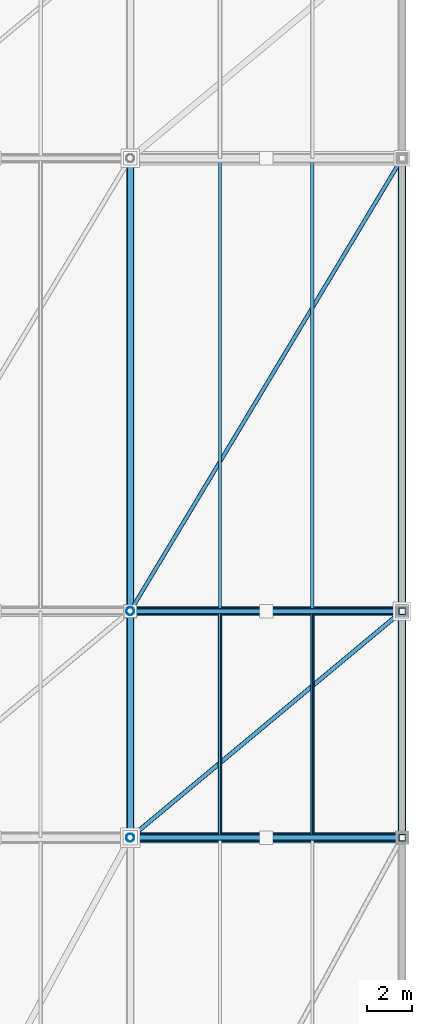
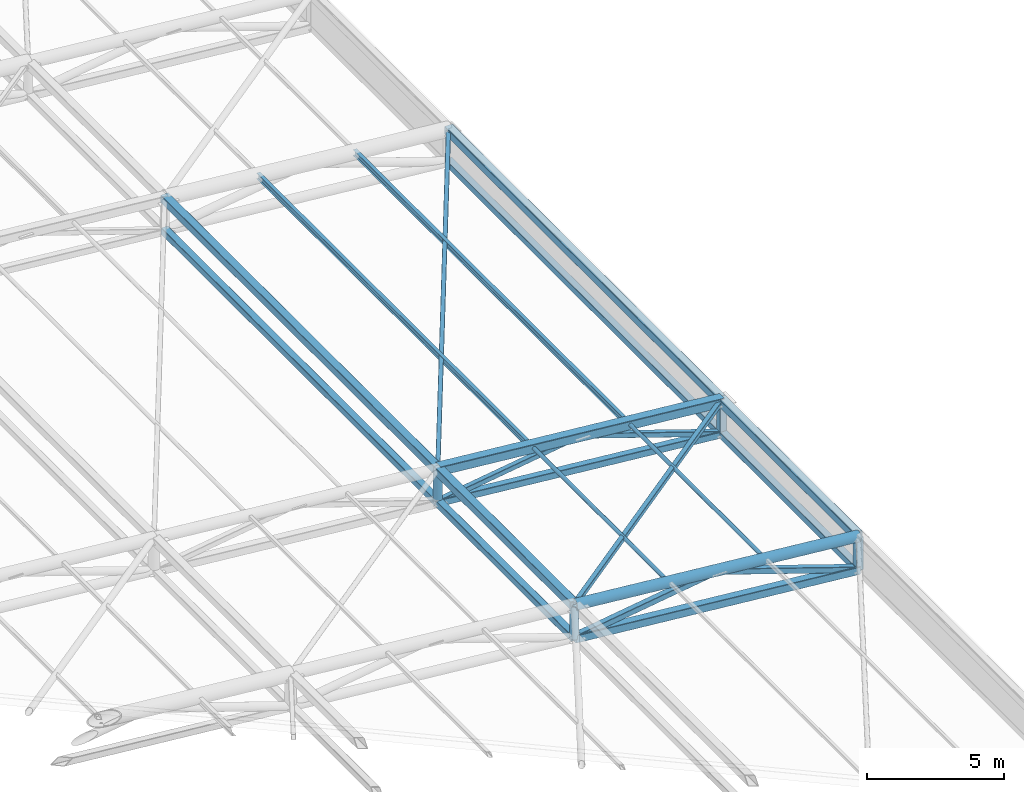
# One storey, part 23 of 44: 26 members.
"""IFC4 building model written with IfcOpenShell, lengths in metres."""

from ifc_helpers import new_model, si_unit, direction, frame, origin, origin_2d, place, context, subcontext, project, spatial, hollow_rectangle, hollow_circle, i_section, extrude, material, material_profile, profile_set, type_object, element, save


model = new_model("IFC4")

# Units and contexts
model_context = context("Model", 3, precision=1e-05, world=origin(), true_north=direction((0.0, 1.0)))
body_context = subcontext(model_context, "Body", "Model", "MODEL_VIEW")
ifc_project = project(units=[si_unit("LENGTHUNIT", "METRE"), si_unit("AREAUNIT", "SQUARE_METRE"), si_unit("VOLUMEUNIT", "CUBIC_METRE"), si_unit("PLANEANGLEUNIT", "RADIAN"), si_unit("MASSUNIT", "GRAM", prefix="KILO")], contexts=[model_context])

# Site, building, storey
site_placement = place(None, origin())
site = spatial("IfcSite", under=ifc_project, at=site_placement, CompositionType="ELEMENT")
building_placement = place(site_placement, origin())
building = spatial("IfcBuilding", under=site, at=building_placement, Name="Brinegate Civic Arena", CompositionType="ELEMENT")
storey_placement = place(building_placement, frame((0.0, 0.0, 29.39990234375)))
storey = spatial("IfcBuildingStorey", under=building, at=storey_placement, Name="RF", CompositionType="ELEMENT", Elevation=29.39990234375)

# Members
ifc_material = material(Name="Steel S355", Category="steel")
ifc_material_profile_1 = material_profile(ifc_material, hollow_circle(Radius=0.083984375, WallThickness=0.008056640625, at=origin_2d()), Name="CHS168X8")
ifc_profile_set_1 = profile_set([ifc_material_profile_1], Name="Steel S355")
member_type_1 = type_object("IfcMemberType", Name="RF-PURLIN-CHS168", PredefinedType="PURLIN", material=ifc_profile_set_1)
for number, where, z_axis, x_axis, name in (
    (1, (147.9599609375, 42.0, 2.335205078125), (0.0, 1.0, 0.0), (-1.0, 0.0, 0.0), "Roof Purlin RFP-053"),
    (2, (152.0400390625, 42.0, 1.9521484375), (0.0, 1.0, 0.0), (-1.0, 0.0, 0.0), "Roof Purlin RFP-054"),
):
    element("IfcMember", number, at=place(storey_placement, frame(where, z_axis=z_axis, x_axis=x_axis)), inside=storey, type_object=member_type_1, Name=name, PredefinedType="PURLIN", context=body_context, shape_type="SweptSolid", body=[
        extrude(hollow_circle(Radius=0.083984375, WallThickness=0.008056640625, at=origin_2d()), origin(), (0.0, 0.0, 1.0), 10.0),
    ])
ifc_material_profile_2 = material_profile(ifc_material, i_section(OverallWidth=0.14794921875, OverallDepth=0.26611328125, WebThickness=0.008056640625, FlangeThickness=0.012939453125, FilletRadius=0.011962890625, at=origin_2d()), Name="W250X45")
ifc_profile_set_2 = profile_set([ifc_material_profile_2], Name="Steel S355")
member_type_2 = type_object("IfcMemberType", Name="RF-PURLIN-W250", PredefinedType="PURLIN", material=ifc_profile_set_2)
for number, where, z_axis, x_axis, name in (
    (3, (147.9599609375, 52.0, 2.2861328125), (0.0, 1.0, 0.0), (-1.0, 0.0, 0.0), "Roof Purlin RFP-071"),
    (4, (152.0400390625, 52.0, 1.903076171875), (0.0, 1.0, 0.0), (-1.0, 0.0, 0.0), "Roof Purlin RFP-072"),
):
    element("IfcMember", number, at=place(storey_placement, frame(where, z_axis=z_axis, x_axis=x_axis)), inside=storey, type_object=member_type_2, Name=name, PredefinedType="PURLIN", context=body_context, shape_type="SweptSolid", body=[
        extrude(i_section(OverallWidth=0.14794921875, OverallDepth=0.26611328125, WebThickness=0.008056640625, FlangeThickness=0.012939453125, FilletRadius=0.011962890625, at=origin_2d()), origin(), (0.0, 0.0, 1.0), 20.0),
    ])
ifc_material_profile_3 = material_profile(ifc_material, hollow_rectangle(XDim=0.179931640625, YDim=0.179931640625, WallThickness=0.010009765625, InnerFilletRadius=0.010009765625, OuterFilletRadius=0.02001953125, at=origin_2d()), Name="SHS180X10")
ifc_profile_set_3 = profile_set([ifc_material_profile_3], Name="Steel S355")
member_type_3 = type_object("IfcMemberType", Name="SF-BRACE-SHS180", PredefinedType="BRACE", material=ifc_profile_set_3)
member_1_placement = place(storey_placement, frame((144.0, 52.0, 2.675048828125), z_axis=(0.513898306264, 0.856497177106, -0.048177966212), x_axis=(-0.857492925713, 0.514495755428, 0.0)))
element("IfcMember", 5, at=member_1_placement, inside=storey, type_object=member_type_3, Name="Roof Plan Diagonal Brace PL-4-9", PredefinedType="BRACE", context=body_context, shape_type="SweptSolid", body=[
    extrude(hollow_rectangle(XDim=0.179931640625, YDim=0.179931640625, WallThickness=0.010009765625, InnerFilletRadius=0.010009765625, OuterFilletRadius=0.02001953125, at=origin_2d()), origin(), (0.0, 0.0, 1.0), 23.350830078125),
])
ifc_material_profile_4 = material_profile(ifc_material, hollow_rectangle(XDim=0.199951171875, YDim=0.199951171875, WallThickness=0.010009765625, InnerFilletRadius=0.010009765625, OuterFilletRadius=0.02001953125, at=origin_2d()), Name="SHS200X10")
ifc_profile_set_4 = profile_set([ifc_material_profile_4], Name="Steel S355")
member_type_4 = type_object("IfcMemberType", Name="SF-BRACE-SHS200", PredefinedType="BRACE", material=ifc_profile_set_4)
member_2_placement = place(storey_placement, frame((144.0, 42.0, 2.675048828125), z_axis=(0.766236619907, 0.638530516589, -0.071834683116), x_axis=(-0.640184399664, 0.768221279597, 0.0)))
element("IfcMember", 6, at=member_2_placement, inside=storey, type_object=member_type_4, Name="Roof Plan Diagonal Brace PL-3-9", PredefinedType="BRACE", context=body_context, shape_type="SweptSolid", body=[
    extrude(hollow_rectangle(XDim=0.199951171875, YDim=0.199951171875, WallThickness=0.010009765625, InnerFilletRadius=0.010009765625, OuterFilletRadius=0.02001953125, at=origin_2d()), origin(), (0.0, 0.0, 1.0), 15.660888671875),
])
ifc_material_profile_5 = material_profile(ifc_material, hollow_rectangle(XDim=0.219970703125, YDim=0.219970703125, WallThickness=0.011962890625, InnerFilletRadius=0.011962890625, OuterFilletRadius=0.02392578125, at=origin_2d()), Name="SHS220X12")
ifc_profile_set_5 = profile_set([ifc_material_profile_5], Name="Steel S355")
member_type_5 = type_object("IfcMemberType", Name="SF-BRACE-SHS220", PredefinedType="BRACE", material=ifc_profile_set_5)
member_3_placement = place(storey_placement, frame((144.0, 52.0, 1.22509765625), z_axis=(0.989226142737, 0.0, 0.1463954867), x_axis=(0.0, 1.0, 0.0)))
element("IfcMember", 7, at=member_3_placement, inside=storey, type_object=member_type_5, Name="Space Frame Web Brace D1-4-9", PredefinedType="BRACE", context=body_context, shape_type="SweptSolid", body=[
    extrude(hollow_rectangle(XDim=0.219970703125, YDim=0.219970703125, WallThickness=0.011962890625, InnerFilletRadius=0.011962890625, OuterFilletRadius=0.02392578125, at=origin_2d()), origin(), (0.0, 0.0, 1.0), 6.0654296875),
])
member_4_placement = place(storey_placement, frame((150.0, 52.0, 2.113037109375), z_axis=(0.948068139281, 0.0, -0.318067293635), x_axis=(0.0, 1.0, 0.0)))
element("IfcMember", 8, at=member_4_placement, inside=storey, type_object=member_type_5, Name="Space Frame Web Brace D2-4-9", PredefinedType="BRACE", context=body_context, shape_type="SweptSolid", body=[
    extrude(hollow_rectangle(XDim=0.219970703125, YDim=0.219970703125, WallThickness=0.011962890625, InnerFilletRadius=0.011962890625, OuterFilletRadius=0.02392578125, at=origin_2d()), origin(), (0.0, 0.0, 1.0), 6.32861328125),
])
ifc_material_profile_6 = material_profile(ifc_material, hollow_rectangle(XDim=0.25, YDim=0.25, WallThickness=0.011962890625, InnerFilletRadius=0.011962890625, OuterFilletRadius=0.02392578125, at=origin_2d()), Name="SHS250X12")
ifc_profile_set_6 = profile_set([ifc_material_profile_6], Name="Steel S355")
member_type_6 = type_object("IfcMemberType", Name="SF-BRACE-SHS250", PredefinedType="BRACE", material=ifc_profile_set_6)
member_5_placement = place(storey_placement, frame((144.0, 42.0, 1.22509765625), z_axis=(0.989226142737, 0.0, 0.1463954867), x_axis=(0.0, 1.0, 0.0)))
element("IfcMember", 9, at=member_5_placement, inside=storey, type_object=member_type_6, Name="Space Frame Web Brace D1-3-9", PredefinedType="BRACE", context=body_context, shape_type="SweptSolid", body=[
    extrude(hollow_rectangle(XDim=0.25, YDim=0.25, WallThickness=0.011962890625, InnerFilletRadius=0.011962890625, OuterFilletRadius=0.02392578125, at=origin_2d()), origin(), (0.0, 0.0, 1.0), 6.0654296875),
])
member_6_placement = place(storey_placement, frame((150.0, 42.0, 2.113037109375), z_axis=(0.948068139281, 0.0, -0.318067293635), x_axis=(0.0, 1.0, 0.0)))
element("IfcMember", 10, at=member_6_placement, inside=storey, type_object=member_type_6, Name="Space Frame Web Brace D2-3-9", PredefinedType="BRACE", context=body_context, shape_type="SweptSolid", body=[
    extrude(hollow_rectangle(XDim=0.25, YDim=0.25, WallThickness=0.011962890625, InnerFilletRadius=0.011962890625, OuterFilletRadius=0.02392578125, at=origin_2d()), origin(), (0.0, 0.0, 1.0), 6.32861328125),
])
ifc_material_profile_7 = material_profile(ifc_material, hollow_circle(Radius=0.228515625, WallThickness=0.01611328125, at=origin_2d()), Name="CHS457X16")
ifc_profile_set_7 = profile_set([ifc_material_profile_7], Name="Steel S355")
member_type_7 = type_object("IfcMemberType", Name="SF-CHORD-CHS457", PredefinedType="CHORD", material=ifc_profile_set_7)
member_7_placement = place(storey_placement, frame((144.0, 42.0, 2.675048828125), z_axis=(0.995634226059, 0.0, -0.093340708693), x_axis=(0.0, 1.0, 0.0)))
element("IfcMember", 11, at=member_7_placement, inside=storey, type_object=member_type_7, Name="Space Frame Top Chord TX-3-9", PredefinedType="CHORD", context=body_context, shape_type="SweptSolid", body=[
    extrude(hollow_circle(Radius=0.228515625, WallThickness=0.01611328125, at=origin_2d()), origin(), (0.0, 0.0, 1.0), 12.052734375),
])
ifc_material_profile_8 = material_profile(ifc_material, hollow_rectangle(XDim=0.300048828125, YDim=0.300048828125, WallThickness=0.01611328125, InnerFilletRadius=0.01611328125, OuterFilletRadius=0.031982421875, at=origin_2d()), Name="SHS300X16")
ifc_profile_set_8 = profile_set([ifc_material_profile_8], Name="Steel S355")
member_type_8 = type_object("IfcMemberType", Name="SF-CHORD-SHS300", PredefinedType="CHORD", material=ifc_profile_set_8)
member_8_placement = place(storey_placement, frame((144.0, 52.0, 1.22509765625), z_axis=(0.995634226059, 0.0, -0.093340708693), x_axis=(0.0, 1.0, 0.0)))
element("IfcMember", 12, at=member_8_placement, inside=storey, type_object=member_type_8, Name="Space Frame Bottom Chord BX-4-9", PredefinedType="CHORD", context=body_context, shape_type="SweptSolid", body=[
    extrude(hollow_rectangle(XDim=0.300048828125, YDim=0.300048828125, WallThickness=0.01611328125, InnerFilletRadius=0.01611328125, OuterFilletRadius=0.031982421875, at=origin_2d()), origin(), (0.0, 0.0, 1.0), 12.052734375),
])
for number, where, z_axis, x_axis, name in (
    (13, (144.0, 42.0, 1.22509765625), (0.0, 1.0, 0.0), (-1.0, 0.0, 0.0), "Space Frame Cross Bottom Chord BY-3-9"),
    (14, (156.0, 42.0, 0.10009765625), (0.0, 1.0, 0.0), (-1.0, 0.0, 0.0), "Space Frame Cross Bottom Chord BY-3-10"),
):
    element("IfcMember", number, at=place(storey_placement, frame(where, z_axis=z_axis, x_axis=x_axis)), inside=storey, type_object=member_type_8, Name=name, PredefinedType="CHORD", context=body_context, shape_type="SweptSolid", body=[
        extrude(hollow_rectangle(XDim=0.300048828125, YDim=0.300048828125, WallThickness=0.01611328125, InnerFilletRadius=0.01611328125, OuterFilletRadius=0.031982421875, at=origin_2d()), origin(), (0.0, 0.0, 1.0), 10.0),
    ])
for number, where, z_axis, x_axis, name in (
    (15, (144.0, 52.0, 1.22509765625), (0.0, 1.0, 0.0), (-1.0, 0.0, 0.0), "Space Frame Cross Bottom Chord BY-4-9"),
    (16, (156.0, 52.0, 0.10009765625), (0.0, 1.0, 0.0), (-1.0, 0.0, 0.0), "Space Frame Cross Bottom Chord BY-4-10"),
):
    element("IfcMember", number, at=place(storey_placement, frame(where, z_axis=z_axis, x_axis=x_axis)), inside=storey, type_object=member_type_8, Name=name, PredefinedType="CHORD", context=body_context, shape_type="SweptSolid", body=[
        extrude(hollow_rectangle(XDim=0.300048828125, YDim=0.300048828125, WallThickness=0.01611328125, InnerFilletRadius=0.01611328125, OuterFilletRadius=0.031982421875, at=origin_2d()), origin(), (0.0, 0.0, 1.0), 20.0),
    ])
ifc_material_profile_9 = material_profile(ifc_material, hollow_rectangle(XDim=0.35009765625, YDim=0.35009765625, WallThickness=0.01611328125, InnerFilletRadius=0.01611328125, OuterFilletRadius=0.031982421875, at=origin_2d()), Name="SHS350X16")
ifc_profile_set_9 = profile_set([ifc_material_profile_9], Name="Steel S355")
member_type_9 = type_object("IfcMemberType", Name="SF-CHORD-SHS350", PredefinedType="CHORD", material=ifc_profile_set_9)
member_9_placement = place(storey_placement, frame((144.0, 42.0, 1.22509765625), z_axis=(0.995634226059, 0.0, -0.093340708693), x_axis=(0.0, 1.0, 0.0)))
element("IfcMember", 17, at=member_9_placement, inside=storey, type_object=member_type_9, Name="Space Frame Bottom Chord BX-3-9", PredefinedType="CHORD", context=body_context, shape_type="SweptSolid", body=[
    extrude(hollow_rectangle(XDim=0.35009765625, YDim=0.35009765625, WallThickness=0.01611328125, InnerFilletRadius=0.01611328125, OuterFilletRadius=0.031982421875, at=origin_2d()), origin(), (0.0, 0.0, 1.0), 12.052734375),
])
for number, where, z_axis, x_axis, name in (
    (18, (144.0, 42.0, 2.675048828125), (0.0, 1.0, 0.0), (-1.0, 0.0, 0.0), "Space Frame Cross Top Chord TY-3-9"),
    (19, (156.0, 42.0, 1.550048828125), (0.0, 1.0, 0.0), (-1.0, 0.0, 0.0), "Space Frame Cross Top Chord TY-3-10"),
):
    element("IfcMember", number, at=place(storey_placement, frame(where, z_axis=z_axis, x_axis=x_axis)), inside=storey, type_object=member_type_9, Name=name, PredefinedType="CHORD", context=body_context, shape_type="SweptSolid", body=[
        extrude(hollow_rectangle(XDim=0.35009765625, YDim=0.35009765625, WallThickness=0.01611328125, InnerFilletRadius=0.01611328125, OuterFilletRadius=0.031982421875, at=origin_2d()), origin(), (0.0, 0.0, 1.0), 10.0),
    ])
for number, where, z_axis, x_axis, name in (
    (20, (144.0, 52.0, 2.675048828125), (0.0, 1.0, 0.0), (-1.0, 0.0, 0.0), "Space Frame Cross Top Chord TY-4-9"),
    (21, (156.0, 52.0, 1.550048828125), (0.0, 1.0, 0.0), (-1.0, 0.0, 0.0), "Space Frame Cross Top Chord TY-4-10"),
):
    element("IfcMember", number, at=place(storey_placement, frame(where, z_axis=z_axis, x_axis=x_axis)), inside=storey, type_object=member_type_9, Name=name, PredefinedType="CHORD", context=body_context, shape_type="SweptSolid", body=[
        extrude(hollow_rectangle(XDim=0.35009765625, YDim=0.35009765625, WallThickness=0.01611328125, InnerFilletRadius=0.01611328125, OuterFilletRadius=0.031982421875, at=origin_2d()), origin(), (0.0, 0.0, 1.0), 20.0),
    ])
ifc_material_profile_10 = material_profile(ifc_material, hollow_rectangle(XDim=0.39990234375, YDim=0.39990234375, WallThickness=0.02001953125, InnerFilletRadius=0.02001953125, OuterFilletRadius=0.0400390625, at=origin_2d()), Name="SHS400X20")
ifc_profile_set_10 = profile_set([ifc_material_profile_10], Name="Steel S355")
member_type_10 = type_object("IfcMemberType", Name="SF-CHORD-SHS400", PredefinedType="CHORD", material=ifc_profile_set_10)
member_10_placement = place(storey_placement, frame((144.0, 52.0, 2.675048828125), z_axis=(0.995634226059, 0.0, -0.093340708693), x_axis=(0.0, 1.0, 0.0)))
element("IfcMember", 22, at=member_10_placement, inside=storey, type_object=member_type_10, Name="Space Frame Top Chord TX-4-9", PredefinedType="CHORD", context=body_context, shape_type="SweptSolid", body=[
    extrude(hollow_rectangle(XDim=0.39990234375, YDim=0.39990234375, WallThickness=0.02001953125, InnerFilletRadius=0.02001953125, OuterFilletRadius=0.0400390625, at=origin_2d()), origin(), (0.0, 0.0, 1.0), 12.052734375),
])
ifc_material_profile_11 = material_profile(ifc_material, hollow_circle(Radius=0.177978515625, WallThickness=0.013916015625, at=origin_2d()), Name="CHS356X14")
ifc_profile_set_11 = profile_set([ifc_material_profile_11], Name="Steel S355")
member_type_11 = type_object("IfcMemberType", Name="SF-STRUT-CHS356", PredefinedType="STRUT", material=ifc_profile_set_11)
for number, where, z_axis, x_axis, name in (
    (23, (144.0, 42.0, 1.22509765625), (0.0, 0.0, 1.0), (1.0, 0.0, 0.0), "Space Frame Vertical Post V-3-9"),
    (24, (144.0, 52.0, 1.22509765625), (0.0, 0.0, 1.0), (1.0, 0.0, 0.0), "Space Frame Vertical Post V-4-9"),
):
    element("IfcMember", number, at=place(storey_placement, frame(where, z_axis=z_axis, x_axis=x_axis)), inside=storey, type_object=member_type_11, Name=name, PredefinedType="STRUT", context=body_context, shape_type="SweptSolid", body=[
        extrude(hollow_circle(Radius=0.177978515625, WallThickness=0.013916015625, at=origin_2d()), origin(), (0.0, 0.0, 1.0), 1.449951171875),
    ])
ifc_material_profile_12 = material_profile(ifc_material, hollow_rectangle(XDim=0.300048828125, YDim=0.300048828125, WallThickness=0.01611328125, InnerFilletRadius=0.01611328125, OuterFilletRadius=0.031982421875, at=origin_2d()), Name="SHS300X16")
ifc_profile_set_12 = profile_set([ifc_material_profile_12], Name="Steel S355")
member_type_12 = type_object("IfcMemberType", Name="SF-STRUT-SHS300", PredefinedType="STRUT", material=ifc_profile_set_12)
for number, where, z_axis, x_axis, name in (
    (25, (156.0, 42.0, 0.10009765625), (0.0, 0.0, 1.0), (1.0, 0.0, 0.0), "Space Frame Vertical Post V-3-10"),
    (26, (156.0, 52.0, 0.10009765625), (0.0, 0.0, 1.0), (1.0, 0.0, 0.0), "Space Frame Vertical Post V-4-10"),
):
    element("IfcMember", number, at=place(storey_placement, frame(where, z_axis=z_axis, x_axis=x_axis)), inside=storey, type_object=member_type_12, Name=name, PredefinedType="STRUT", context=body_context, shape_type="SweptSolid", body=[
        extrude(hollow_rectangle(XDim=0.300048828125, YDim=0.300048828125, WallThickness=0.01611328125, InnerFilletRadius=0.01611328125, OuterFilletRadius=0.031982421875, at=origin_2d()), origin(), (0.0, 0.0, 1.0), 1.449951171875),
    ])

save(model, "model.ifc")
